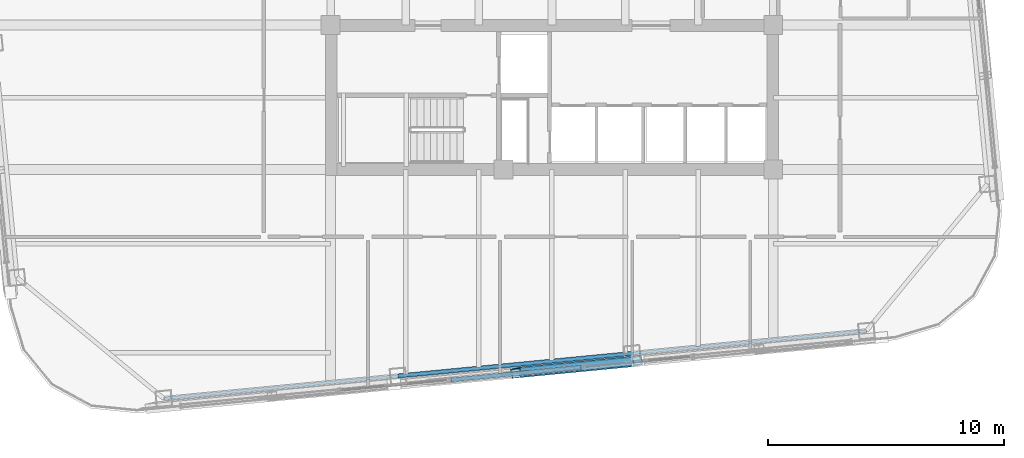
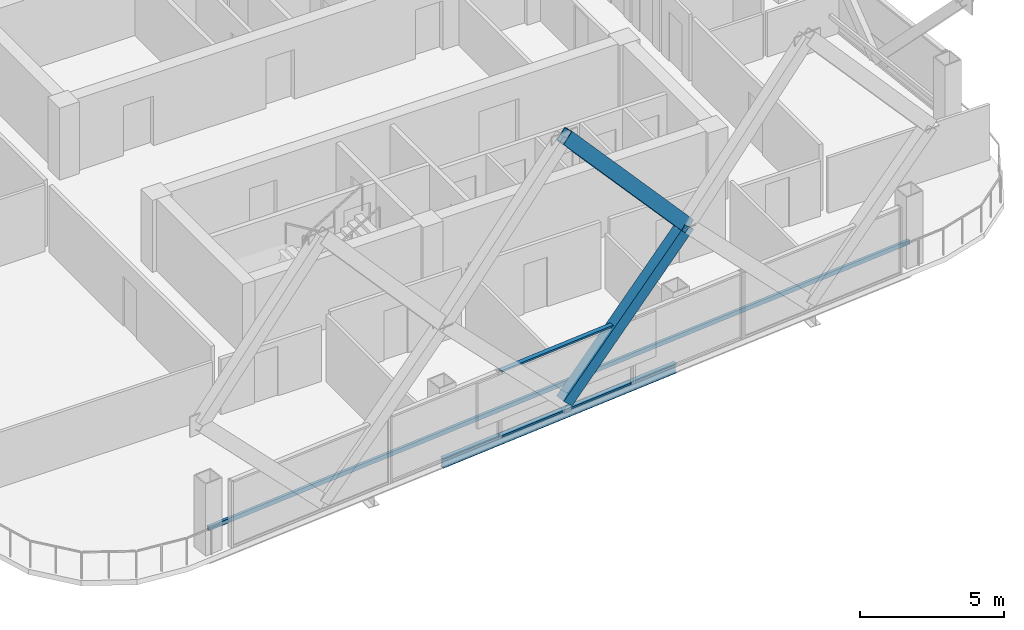
# One storey, part 6 of 34: 5 members, 1 beam, 1 element without a shape of its own.
"""IFC4 building model written with IfcOpenShell, lengths in metres."""

from ifc_helpers import new_model, si_unit, direction, frame, origin, origin_2d, place, context, subcontext, project, spatial, hollow_rectangle, i_section, extrude, material, layer, layer_set, material_profile, profile_set, type_object, element, aggregate, save


model = new_model("IFC4")

# Units and contexts
model_context = context("Model", 3, precision=1e-05, world=origin(), true_north=direction((0.0, 1.0)))
body_context = subcontext(model_context, "Body", "Model", "MODEL_VIEW")
ifc_project = project(units=[si_unit("LENGTHUNIT", "METRE"), si_unit("AREAUNIT", "SQUARE_METRE"), si_unit("VOLUMEUNIT", "CUBIC_METRE"), si_unit("PLANEANGLEUNIT", "RADIAN"), si_unit("MASSUNIT", "GRAM", prefix="KILO")], contexts=[model_context])

# Site, building, storey
site_placement = place(None, origin())
site = spatial("IfcSite", under=ifc_project, at=site_placement, CompositionType="ELEMENT")
building_placement = place(site_placement, origin())
building = spatial("IfcBuilding", under=site, at=building_placement, Name="Qhalaya Broadcast Tower", CompositionType="ELEMENT")
storey_placement = place(building_placement, frame((0.0, 0.0, 168.35009765625)))
storey = spatial("IfcBuildingStorey", under=building, at=storey_placement, Name="L49", CompositionType="ELEMENT", Elevation=168.35009765625)

# Members
ifc_material_1 = material(Name="Structural Steel ASTM A572 Grade 50", Category="steel")
ifc_material_profile_1 = material_profile(ifc_material_1, hollow_rectangle(XDim=0.39990234375, YDim=0.550048828125, WallThickness=0.02490234375, at=origin_2d()), Name="BOX 400x550x25")
ifc_profile_set_1 = profile_set([ifc_material_profile_1], Name="Structural Steel ASTM A572 Grade 50")
member_type_1 = type_object("IfcMemberType", Name="Exoskeleton Diamond Diagonal Mid-High EX3", PredefinedType="BRACE", material=ifc_profile_set_1)
member_1_placement = place(storey_placement, frame((-1.5283203125, -17.353515625, 0.35986328125), z_axis=(0.690632740243, 0.066501259884, 0.720141653106), x_axis=(-0.164110507975, 0.984197866782, 0.066500377394)))
element("IfcMember", 1, at=member_1_placement, inside=storey, type_object=member_type_1, Name="B4 Exoskeleton Diamond Brace S2-D2", PredefinedType="BRACE", context=body_context, shape_type="SweptSolid", body=[
    extrude(hollow_rectangle(XDim=0.39990234375, YDim=0.550048828125, WallThickness=0.02490234375, at=origin_2d()), origin(), (0.0, 0.0, 1.0), 7.470947265625),
])
member_2_placement = place(storey_placement, frame((3.63134765625, -16.856689453125, 5.739990234375), z_axis=(-0.659509691471, -0.063504411003, 0.749008782752), x_axis=(0.166864561639, -0.983932678024, 0.063503568282)))
element("IfcMember", 2, at=member_2_placement, inside=storey, type_object=member_type_1, Name="B4 Exoskeleton Diamond Brace S2-D4", PredefinedType="BRACE", context=body_context, shape_type="SweptSolid", body=[
    extrude(hollow_rectangle(XDim=0.39990234375, YDim=0.550048828125, WallThickness=0.02490234375, at=origin_2d()), origin(), (0.0, 0.0, 1.0), 7.823486328125),
])
ifc_material_2 = material(Name="Fired Architectural Terracotta", Category="masonry")
ifc_material_profile_2 = material_profile(ifc_material_2, hollow_rectangle(XDim=0.110107421875, YDim=0.179931640625, WallThickness=0.01806640625, at=origin_2d()), Name="TB-BAG 110x180x18")
ifc_profile_set_2 = profile_set([ifc_material_profile_2], Name="Fired Architectural Terracotta")
member_type_2 = type_object("IfcMemberType", Name="Fired Terracotta Facade Baguette Member TB1", PredefinedType="USERDEFINED", material=ifc_profile_set_2)
member_3_placement = place(storey_placement, frame((-16.44189453125, -18.44775390625, 0.848876953125), z_axis=(0.995396364067, 0.095844031643, 0.0), x_axis=(-0.095844031643, 0.995396364067, 0.0)))
element("IfcMember", 3, at=member_3_placement, inside=storey, type_object=member_type_2, Name="L49 Terracotta Baguette Feature Rail S", ObjectType="BAGUETTE", PredefinedType="USERDEFINED", context=body_context, shape_type="SweptSolid", body=[
    extrude(hollow_rectangle(XDim=0.110107421875, YDim=0.179931640625, WallThickness=0.01806640625, at=origin_2d()), origin(), (0.0, 0.0, 1.0), 29.89990234375),
])

# Curtain wall, members
ifc_layer = layer(ifc_material_2, 0.219970703125, Name="Fired Architectural Terracotta")
ifc_layer_set = layer_set([ifc_layer], Name="Fired Architectural Terracotta")
curtain_wall_type = type_object("IfcCurtainWallType", Name="Block-Cap Unitised Terracotta Spandrel Wall CW-07", PredefinedType="NOTDEFINED", material=ifc_layer_set)
curtain_wall_placement = place(storey_placement, origin())
curtain_wall = element("IfcCurtainWall", 4, at=curtain_wall_placement, inside=storey, type_object=curtain_wall_type, Name="L49 Unitised Curtain Wall L49-CW-S3", PredefinedType="NOTDEFINED")
ifc_material_3 = material(Name="Anodised Aluminium 6063-T6", Category="aluminium")
ifc_material_profile_3 = material_profile(ifc_material_3, hollow_rectangle(XDim=0.074951171875, YDim=0.179931640625, WallThickness=0.00390625, at=origin_2d()), Name="ALU-TRN 75x180x4")
ifc_profile_set_3 = profile_set([ifc_material_profile_3], Name="Anodised Aluminium 6063-T6")
member_type_3 = type_object("IfcMemberType", Name="Unitised Curtain-Wall Transom T01", PredefinedType="USERDEFINED", material=ifc_profile_set_3)
member_4_placement = place(storey_placement, frame((-4.282470703125, -17.65869140625, 0.037353515625), z_axis=(0.995398934264, 0.095817334898, 0.0), x_axis=(0.0, 0.0, 1.0)))
member_4 = element("IfcMember", 5, at=member_4_placement, type_object=member_type_3, Name="CW-07 transom 1.1", ObjectType="TRANSOM", PredefinedType="USERDEFINED", context=body_context, shape_type="SweptSolid", body=[
    extrude(hollow_rectangle(XDim=0.074951171875, YDim=0.179931640625, WallThickness=0.00390625, at=origin_2d()), origin(), (0.0, 0.0, 1.0), 5.541748046875),
])
member_5_placement = place(storey_placement, frame((-4.282470703125, -17.65869140625, 2.79248046875), z_axis=(0.995398934264, 0.095817334898, 0.0), x_axis=(0.0, 0.0, 1.0)))
member_5 = element("IfcMember", 6, at=member_5_placement, type_object=member_type_3, Name="CW-07 transom 1.2", ObjectType="TRANSOM", PredefinedType="USERDEFINED", context=body_context, shape_type="SweptSolid", body=[
    extrude(hollow_rectangle(XDim=0.074951171875, YDim=0.179931640625, WallThickness=0.00390625, at=origin_2d()), origin(), (0.0, 0.0, 1.0), 5.541748046875),
])
aggregate(curtain_wall, [member_4, member_5])

# Beam
ifc_material_4 = material(Name="Structural Steel ASTM A992 Grade 50", Category="steel")
ifc_material_profile_4 = material_profile(ifc_material_4, i_section(OverallWidth=0.177978515625, OverallDepth=0.406005859375, WebThickness=0.0078125, FlangeThickness=0.0126953125, at=origin_2d()), Name="W16X40")
ifc_profile_set_4 = profile_set([ifc_material_profile_4], Name="Structural Steel ASTM A992 Grade 50")
beam_type = type_object("IfcBeamType", Name="Upper Perimeter Spandrel Beam SP2", PredefinedType="SPANDREL", material=ifc_profile_set_4)
beam_placement = place(storey_placement, frame((-6.521240234375, -17.49267578125, -0.423095703125), z_axis=(0.99539573508, 0.095850563819, 0.0), x_axis=(-0.095850563819, 0.99539573508, 0.0)))
element("IfcBeam", 7, at=beam_placement, inside=storey, type_object=beam_type, Name="L49 SP2 L49-SPR-02", PredefinedType="SPANDREL", context=body_context, shape_type="SweptSolid", body=[
    extrude(i_section(OverallWidth=0.177978515625, OverallDepth=0.406005859375, WebThickness=0.0078125, FlangeThickness=0.0126953125, at=origin_2d()), origin(), (0.0, 0.0, 1.0), 9.966796875),
])

save(model, "model.ifc")
